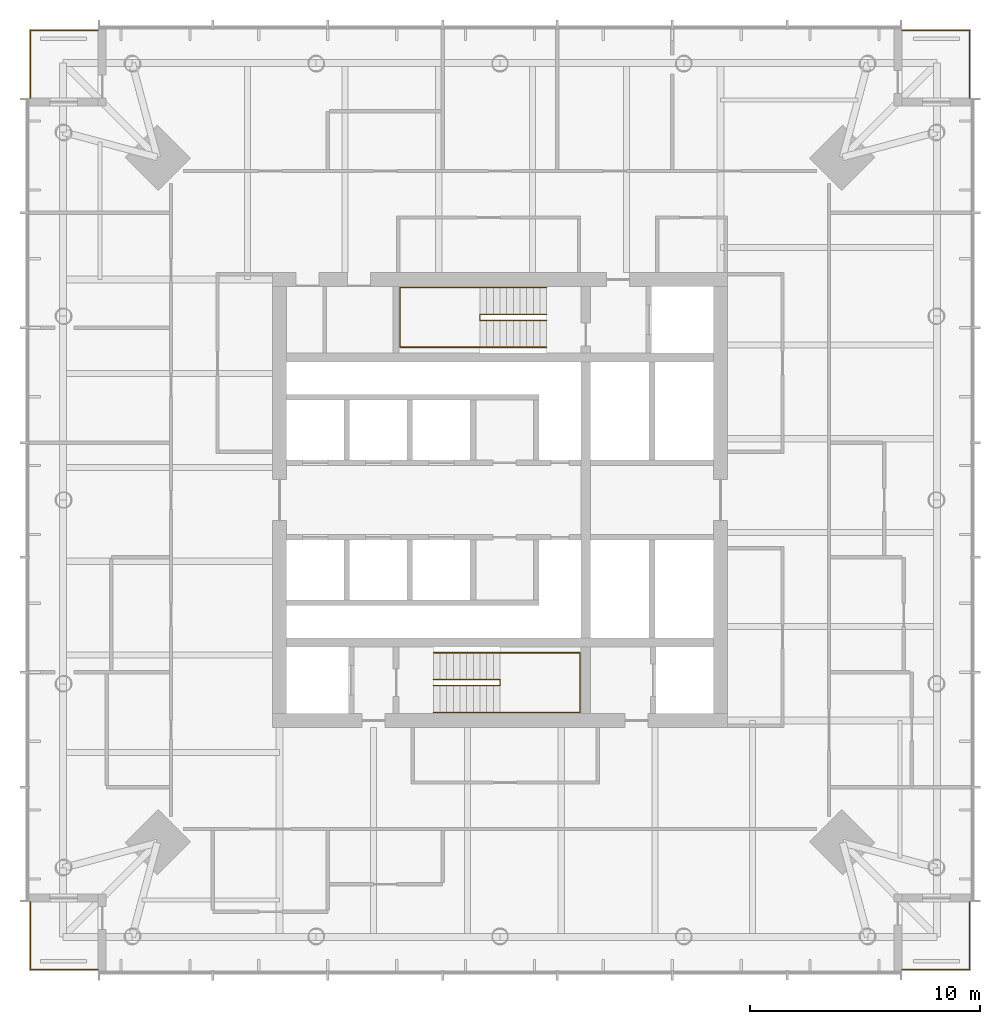
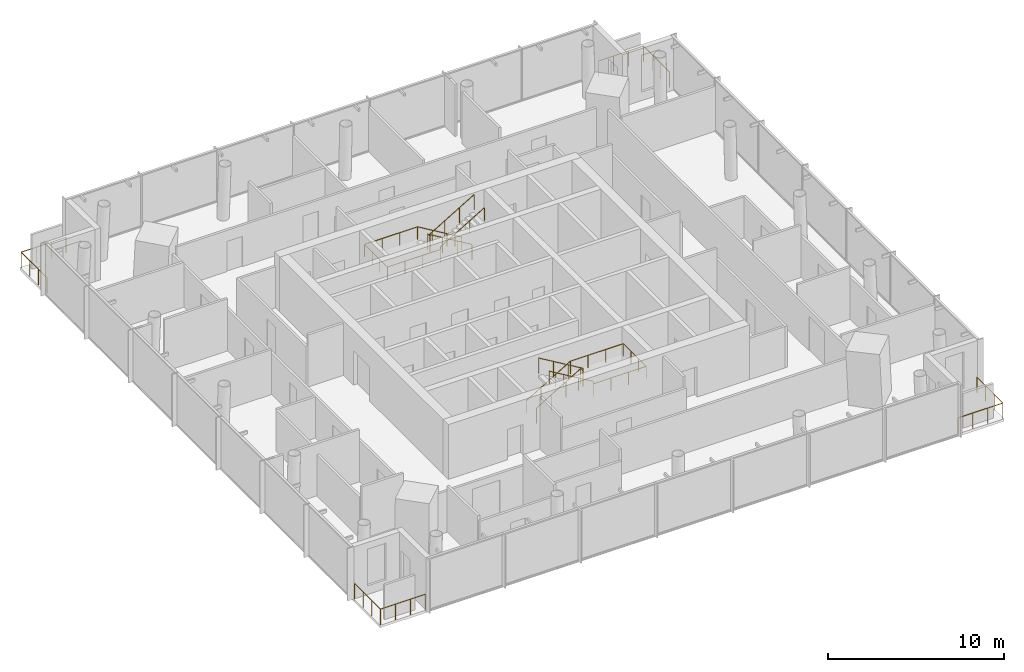
# One storey, part 9 of 9: 8 railings.
"""IFC4 building model written with IfcOpenShell, lengths in metres."""

from ifc_helpers import new_model, si_unit, direction, frame, origin, origin_2d, place, context, subcontext, project, spatial, circle, extrude, material, type_object, element, save


model = new_model("IFC4")

# Units and contexts
model_context = context("Model", 3, precision=1e-05, world=origin(), true_north=direction((0.0, 1.0)))
body_context = subcontext(model_context, "Body", "Model", "MODEL_VIEW")
ifc_project = project(units=[si_unit("LENGTHUNIT", "METRE"), si_unit("AREAUNIT", "SQUARE_METRE"), si_unit("VOLUMEUNIT", "CUBIC_METRE"), si_unit("PLANEANGLEUNIT", "RADIAN"), si_unit("MASSUNIT", "GRAM", prefix="KILO")], contexts=[model_context])

# Site, building, storey
site_placement = place(None, origin())
site = spatial("IfcSite", under=ifc_project, at=site_placement, CompositionType="ELEMENT")
building_placement = place(site_placement, origin())
building = spatial("IfcBuilding", under=site, at=building_placement, Name="Ostroluk Exchange", CompositionType="ELEMENT")
storey_placement = place(building_placement, frame((0.0, 0.0, 176.800048828125)))
storey = spatial("IfcBuildingStorey", under=building, at=storey_placement, Name="L45", CompositionType="ELEMENT", Elevation=176.800048828125)

# Railings
ifc_material_1 = material(Name="Stainless steel", Category="steel")
railing_type_1 = type_object("IfcRailingType", Name="Guard 1100 stainless steel", PredefinedType="GUARDRAIL", material=ifc_material_1)
railing_1_placement = place(storey_placement, frame((62.5, 25.550048828125, 0.0)))
element("IfcRailing", 1, at=railing_1_placement, inside=storey, type_object=railing_type_1, Name="Office tower SE balcony guard L45", PredefinedType="GUARDRAIL", context=body_context, shape_type="SweptSolid", body=[
    extrude(circle(Radius=0.02392578125, at=origin_2d()), frame((0.0, 0.0, 1.076171875), z_axis=(1.0, 0.0, 0.0), x_axis=(0.0, 1.0, 0.0)), (0.0, 0.0, 1.0), 2.949951171875),
    extrude(circle(Radius=0.02392578125, at=origin_2d()), frame((2.949951171875, 0.0, 1.076171875), z_axis=(0.0, 1.0, 0.0), x_axis=(-1.0, 0.0, 0.0)), (0.0, 0.0, 1.0), 2.949951171875),
    extrude(circle(Radius=0.02099609375, at=origin_2d()), origin(), (0.0, 0.0, 1.0), 1.052001953125),
    extrude(circle(Radius=0.02099609375, at=origin_2d()), frame((0.9833984375, 0.0, 0.0)), (0.0, 0.0, 1.0), 1.052001953125),
    extrude(circle(Radius=0.02099609375, at=origin_2d()), frame((1.966552734375, 0.0, 0.0)), (0.0, 0.0, 1.0), 1.052001953125),
    extrude(circle(Radius=0.02099609375, at=origin_2d()), frame((2.949951171875, 0.0, 0.0)), (0.0, 0.0, 1.0), 1.052001953125),
    extrude(circle(Radius=0.02099609375, at=origin_2d()), frame((2.949951171875, 0.9833984375, 0.0)), (0.0, 0.0, 1.0), 1.052001953125),
    extrude(circle(Radius=0.02099609375, at=origin_2d()), frame((2.949951171875, 1.966552734375, 0.0)), (0.0, 0.0, 1.0), 1.052001953125),
    extrude(circle(Radius=0.02099609375, at=origin_2d()), frame((2.949951171875, 2.949951171875, 0.0)), (0.0, 0.0, 1.0), 1.052001953125),
])
railing_2_placement = place(storey_placement, frame((62.5, 66.449951171875, 0.0)))
element("IfcRailing", 2, at=railing_2_placement, inside=storey, type_object=railing_type_1, Name="Office tower NE balcony guard L45", PredefinedType="GUARDRAIL", context=body_context, shape_type="SweptSolid", body=[
    extrude(circle(Radius=0.02392578125, at=origin_2d()), frame((0.0, 0.0, 1.076171875), z_axis=(1.0, 0.0, 0.0), x_axis=(0.0, 1.0, 0.0)), (0.0, 0.0, 1.0), 2.949951171875),
    extrude(circle(Radius=0.02392578125, at=origin_2d()), frame((2.949951171875, 0.0, 1.076171875), z_axis=(0.0, -1.0, 0.0), x_axis=(1.0, 0.0, 0.0)), (0.0, 0.0, 1.0), 2.949951171875),
    extrude(circle(Radius=0.02099609375, at=origin_2d()), origin(), (0.0, 0.0, 1.0), 1.052001953125),
    extrude(circle(Radius=0.02099609375, at=origin_2d()), frame((0.9833984375, 0.0, 0.0)), (0.0, 0.0, 1.0), 1.052001953125),
    extrude(circle(Radius=0.02099609375, at=origin_2d()), frame((1.966552734375, 0.0, 0.0)), (0.0, 0.0, 1.0), 1.052001953125),
    extrude(circle(Radius=0.02099609375, at=origin_2d()), frame((2.949951171875, 0.0, 0.0)), (0.0, 0.0, 1.0), 1.052001953125),
    extrude(circle(Radius=0.02099609375, at=origin_2d()), frame((2.949951171875, -0.9833984375, 0.0)), (0.0, 0.0, 1.0), 1.052001953125),
    extrude(circle(Radius=0.02099609375, at=origin_2d()), frame((2.949951171875, -1.966552734375, 0.0)), (0.0, 0.0, 1.0), 1.052001953125),
    extrude(circle(Radius=0.02099609375, at=origin_2d()), frame((2.949951171875, -2.949951171875, 0.0)), (0.0, 0.0, 1.0), 1.052001953125),
])
railing_3_placement = place(storey_placement, frame((27.5, 66.449951171875, 0.0)))
element("IfcRailing", 3, at=railing_3_placement, inside=storey, type_object=railing_type_1, Name="Office tower NW balcony guard L45", PredefinedType="GUARDRAIL", context=body_context, shape_type="SweptSolid", body=[
    extrude(circle(Radius=0.02392578125, at=origin_2d()), frame((0.0, 0.0, 1.076171875), z_axis=(-1.0, 0.0, 0.0), x_axis=(0.0, -1.0, 0.0)), (0.0, 0.0, 1.0), 2.949951171875),
    extrude(circle(Radius=0.02392578125, at=origin_2d()), frame((-2.949951171875, 0.0, 1.076171875), z_axis=(0.0, -1.0, 0.0), x_axis=(1.0, 0.0, 0.0)), (0.0, 0.0, 1.0), 2.949951171875),
    extrude(circle(Radius=0.02099609375, at=origin_2d()), origin(), (0.0, 0.0, 1.0), 1.052001953125),
    extrude(circle(Radius=0.02099609375, at=origin_2d()), frame((-0.9833984375, 0.0, 0.0)), (0.0, 0.0, 1.0), 1.052001953125),
    extrude(circle(Radius=0.02099609375, at=origin_2d()), frame((-1.966552734375, 0.0, 0.0)), (0.0, 0.0, 1.0), 1.052001953125),
    extrude(circle(Radius=0.02099609375, at=origin_2d()), frame((-2.949951171875, 0.0, 0.0)), (0.0, 0.0, 1.0), 1.052001953125),
    extrude(circle(Radius=0.02099609375, at=origin_2d()), frame((-2.949951171875, -0.9833984375, 0.0)), (0.0, 0.0, 1.0), 1.052001953125),
    extrude(circle(Radius=0.02099609375, at=origin_2d()), frame((-2.949951171875, -1.966552734375, 0.0)), (0.0, 0.0, 1.0), 1.052001953125),
    extrude(circle(Radius=0.02099609375, at=origin_2d()), frame((-2.949951171875, -2.949951171875, 0.0)), (0.0, 0.0, 1.0), 1.052001953125),
])
railing_4_placement = place(storey_placement, frame((27.5, 25.550048828125, 0.0)))
element("IfcRailing", 4, at=railing_4_placement, inside=storey, type_object=railing_type_1, Name="Office tower SW balcony guard L45", PredefinedType="GUARDRAIL", context=body_context, shape_type="SweptSolid", body=[
    extrude(circle(Radius=0.02392578125, at=origin_2d()), frame((0.0, 0.0, 1.076171875), z_axis=(-1.0, 0.0, 0.0), x_axis=(0.0, -1.0, 0.0)), (0.0, 0.0, 1.0), 2.949951171875),
    extrude(circle(Radius=0.02392578125, at=origin_2d()), frame((-2.949951171875, 0.0, 1.076171875), z_axis=(0.0, 1.0, 0.0), x_axis=(-1.0, 0.0, 0.0)), (0.0, 0.0, 1.0), 2.949951171875),
    extrude(circle(Radius=0.02099609375, at=origin_2d()), origin(), (0.0, 0.0, 1.0), 1.052001953125),
    extrude(circle(Radius=0.02099609375, at=origin_2d()), frame((-0.9833984375, 0.0, 0.0)), (0.0, 0.0, 1.0), 1.052001953125),
    extrude(circle(Radius=0.02099609375, at=origin_2d()), frame((-1.966552734375, 0.0, 0.0)), (0.0, 0.0, 1.0), 1.052001953125),
    extrude(circle(Radius=0.02099609375, at=origin_2d()), frame((-2.949951171875, 0.0, 0.0)), (0.0, 0.0, 1.0), 1.052001953125),
    extrude(circle(Radius=0.02099609375, at=origin_2d()), frame((-2.949951171875, 0.9833984375, 0.0)), (0.0, 0.0, 1.0), 1.052001953125),
    extrude(circle(Radius=0.02099609375, at=origin_2d()), frame((-2.949951171875, 1.966552734375, 0.0)), (0.0, 0.0, 1.0), 1.052001953125),
    extrude(circle(Radius=0.02099609375, at=origin_2d()), frame((-2.949951171875, 2.949951171875, 0.0)), (0.0, 0.0, 1.0), 1.052001953125),
])
ifc_material_2 = material(Name="Steel S355", Category="steel")
railing_type_2 = type_object("IfcRailingType", Name="Stair guard 1100", PredefinedType="GUARDRAIL", material=ifc_material_2)
railing_5_placement = place(storey_placement, frame((42.10009765625, 38.179931640625, 0.172607421875)))
element("IfcRailing", 5, at=railing_5_placement, inside=storey, type_object=railing_type_2, Name="Stair T1-S1 guard L45", PredefinedType="GUARDRAIL", context=body_context, shape_type="SweptSolid", body=[
    extrude(circle(Radius=0.02392578125, at=origin_2d()), frame((0.0, 0.0, 1.076171875), z_axis=(0.859141464434, 0.0, 0.511738159696), x_axis=(0.0, 1.0, 0.0)), (0.0, 0.0, 1.0), 3.375244140625),
    extrude(circle(Radius=0.02392578125, at=origin_2d()), frame((2.89990234375, 0.0, 2.80322265625), z_axis=(0.0, -1.0, 0.0), x_axis=(1.0, 0.0, 0.0)), (0.0, 0.0, 1.0), 0.260009765625),
    extrude(circle(Radius=0.02392578125, at=origin_2d()), frame((2.89990234375, -0.260009765625, 2.80322265625), z_axis=(0.0, 0.0, 1.0), x_axis=(1.0, 0.0, 0.0)), (0.0, 0.0, 1.0), 0.1728515625),
    extrude(circle(Radius=0.02392578125, at=origin_2d()), frame((2.89990234375, -0.260009765625, 2.97607421875), z_axis=(-0.859141464434, 0.0, 0.511738159696), x_axis=(0.0, -1.0, 0.0)), (0.0, 0.0, 1.0), 3.375244140625),
    extrude(circle(Radius=0.02099609375, at=origin_2d()), origin(), (0.0, 0.0, 1.0), 1.052001953125),
    extrude(circle(Radius=0.02099609375, at=origin_2d()), frame((0.966552734375, 0.0, 0.57568359375)), (0.0, 0.0, 1.0), 1.052001953125),
    extrude(circle(Radius=0.02099609375, at=origin_2d()), frame((1.933349609375, 0.0, 1.151611328125)), (0.0, 0.0, 1.0), 1.052001953125),
    extrude(circle(Radius=0.02099609375, at=origin_2d()), frame((2.89990234375, 0.0, 1.727294921875)), (0.0, 0.0, 1.0), 1.052001953125),
    extrude(circle(Radius=0.02099609375, at=origin_2d()), frame((2.89990234375, -0.260009765625, 1.727294921875)), (0.0, 0.0, 1.0), 1.052001953125),
    extrude(circle(Radius=0.02099609375, at=origin_2d()), frame((2.89990234375, -0.260009765625, 1.900146484375)), (0.0, 0.0, 1.0), 1.052001953125),
    extrude(circle(Radius=0.02099609375, at=origin_2d()), frame((1.933349609375, -0.260009765625, 2.475830078125)), (0.0, 0.0, 1.0), 1.052001953125),
    extrude(circle(Radius=0.02099609375, at=origin_2d()), frame((0.966552734375, -0.260009765625, 3.0517578125)), (0.0, 0.0, 1.0), 1.052001953125),
    extrude(circle(Radius=0.02099609375, at=origin_2d()), frame((0.0, -0.260009765625, 3.62744140625)), (0.0, 0.0, 1.0), 1.052001953125),
])
railing_6_placement = place(storey_placement, frame((47.030029296875, 54.080078125, 0.172607421875)))
element("IfcRailing", 6, at=railing_6_placement, inside=storey, type_object=railing_type_2, Name="Stair T1-S2 guard L45", PredefinedType="GUARDRAIL", context=body_context, shape_type="SweptSolid", body=[
    extrude(circle(Radius=0.02392578125, at=origin_2d()), frame((0.0, 0.0, 1.076171875), z_axis=(-0.859160404282, 0.0, 0.51170636083), x_axis=(0.0, -1.0, 0.0)), (0.0, 0.0, 1.0), 3.37548828125),
    extrude(circle(Radius=0.02392578125, at=origin_2d()), frame((-2.900146484375, 0.0, 2.80322265625), z_axis=(0.0, -1.0, 0.0), x_axis=(1.0, 0.0, 0.0)), (0.0, 0.0, 1.0), 0.260009765625),
    extrude(circle(Radius=0.02392578125, at=origin_2d()), frame((-2.900146484375, -0.260009765625, 2.80322265625), z_axis=(0.0, 0.0, 1.0), x_axis=(1.0, 0.0, 0.0)), (0.0, 0.0, 1.0), 0.1728515625),
    extrude(circle(Radius=0.02392578125, at=origin_2d()), frame((-2.900146484375, -0.260009765625, 2.97607421875), z_axis=(0.859160404282, 0.0, 0.51170636083), x_axis=(0.0, 1.0, 0.0)), (0.0, 0.0, 1.0), 3.37548828125),
    extrude(circle(Radius=0.02099609375, at=origin_2d()), origin(), (0.0, 0.0, 1.0), 1.052001953125),
    extrude(circle(Radius=0.02099609375, at=origin_2d()), frame((-0.966796875, 0.0, 0.57568359375)), (0.0, 0.0, 1.0), 1.052001953125),
    extrude(circle(Radius=0.02099609375, at=origin_2d()), frame((-1.933349609375, 0.0, 1.151611328125)), (0.0, 0.0, 1.0), 1.052001953125),
    extrude(circle(Radius=0.02099609375, at=origin_2d()), frame((-2.900146484375, 0.0, 1.727294921875)), (0.0, 0.0, 1.0), 1.052001953125),
    extrude(circle(Radius=0.02099609375, at=origin_2d()), frame((-2.900146484375, -0.260009765625, 1.727294921875)), (0.0, 0.0, 1.0), 1.052001953125),
    extrude(circle(Radius=0.02099609375, at=origin_2d()), frame((-2.900146484375, -0.260009765625, 1.900146484375)), (0.0, 0.0, 1.0), 1.052001953125),
    extrude(circle(Radius=0.02099609375, at=origin_2d()), frame((-1.933349609375, -0.260009765625, 2.475830078125)), (0.0, 0.0, 1.0), 1.052001953125),
    extrude(circle(Radius=0.02099609375, at=origin_2d()), frame((-0.966796875, -0.260009765625, 3.0517578125)), (0.0, 0.0, 1.0), 1.052001953125),
    extrude(circle(Radius=0.02099609375, at=origin_2d()), frame((0.0, -0.260009765625, 3.62744140625)), (0.0, 0.0, 1.0), 1.052001953125),
])
ifc_material_3 = material(Name="Stainless steel", Category="steel")
railing_type_3 = type_object("IfcRailingType", Name="Stair handrail 900", PredefinedType="HANDRAIL", material=ifc_material_3)
railing_7_placement = place(storey_placement, frame((42.10009765625, 39.35009765625, 0.172607421875)))
element("IfcRailing", 7, at=railing_7_placement, inside=storey, type_object=railing_type_3, Name="Stair T1-S1 handrail L45", PredefinedType="HANDRAIL", context=body_context, shape_type="SweptSolid", body=[
    extrude(circle(Radius=0.02392578125, at=origin_2d()), frame((0.0, 0.0, 0.8759765625), z_axis=(0.859141464434, 0.0, 0.511738159696), x_axis=(0.0, 1.0, 0.0)), (0.0, 0.0, 1.0), 3.375244140625),
    extrude(circle(Radius=0.02392578125, at=origin_2d()), frame((2.89990234375, 0.0, 2.60302734375), z_axis=(1.0, 0.0, 0.0), x_axis=(0.0, 1.0, 0.0)), (0.0, 0.0, 1.0), 3.47998046875),
    extrude(circle(Radius=0.02392578125, at=origin_2d()), frame((6.3798828125, 0.0, 2.60302734375), z_axis=(0.0, -1.0, 0.0), x_axis=(1.0, 0.0, 0.0)), (0.0, 0.0, 1.0), 2.60009765625),
    extrude(circle(Radius=0.02392578125, at=origin_2d()), frame((6.3798828125, -2.60009765625, 2.60302734375), z_axis=(-1.0, 0.0, 0.0), x_axis=(0.0, -1.0, 0.0)), (0.0, 0.0, 1.0), 3.47998046875),
    extrude(circle(Radius=0.02392578125, at=origin_2d()), frame((2.89990234375, -2.60009765625, 2.60302734375), z_axis=(0.0, 0.0, 1.0), x_axis=(1.0, 0.0, 0.0)), (0.0, 0.0, 1.0), 0.1728515625),
    extrude(circle(Radius=0.02392578125, at=origin_2d()), frame((2.89990234375, -2.60009765625, 2.77587890625), z_axis=(-0.859141464434, 0.0, 0.511738159696), x_axis=(0.0, -1.0, 0.0)), (0.0, 0.0, 1.0), 3.375244140625),
    extrude(circle(Radius=0.02099609375, at=origin_2d()), origin(), (0.0, 0.0, 1.0), 0.851806640625),
    extrude(circle(Radius=0.02099609375, at=origin_2d()), frame((0.966552734375, 0.0, 0.57568359375)), (0.0, 0.0, 1.0), 0.851806640625),
    extrude(circle(Radius=0.02099609375, at=origin_2d()), frame((1.933349609375, 0.0, 1.151611328125)), (0.0, 0.0, 1.0), 0.851806640625),
    extrude(circle(Radius=0.02099609375, at=origin_2d()), frame((2.89990234375, 0.0, 1.727294921875)), (0.0, 0.0, 1.0), 0.851806640625),
    extrude(circle(Radius=0.02099609375, at=origin_2d()), frame((4.059814453125, 0.0, 1.727294921875)), (0.0, 0.0, 1.0), 0.851806640625),
    extrude(circle(Radius=0.02099609375, at=origin_2d()), frame((5.219970703125, 0.0, 1.727294921875)), (0.0, 0.0, 1.0), 0.851806640625),
    extrude(circle(Radius=0.02099609375, at=origin_2d()), frame((6.3798828125, 0.0, 1.727294921875)), (0.0, 0.0, 1.0), 0.851806640625),
    extrude(circle(Radius=0.02099609375, at=origin_2d()), frame((6.3798828125, -0.86669921875, 1.727294921875)), (0.0, 0.0, 1.0), 0.851806640625),
    extrude(circle(Radius=0.02099609375, at=origin_2d()), frame((6.3798828125, -1.7333984375, 1.727294921875)), (0.0, 0.0, 1.0), 0.851806640625),
    extrude(circle(Radius=0.02099609375, at=origin_2d()), frame((6.3798828125, -2.60009765625, 1.727294921875)), (0.0, 0.0, 1.0), 0.851806640625),
    extrude(circle(Radius=0.02099609375, at=origin_2d()), frame((5.219970703125, -2.60009765625, 1.727294921875)), (0.0, 0.0, 1.0), 0.851806640625),
    extrude(circle(Radius=0.02099609375, at=origin_2d()), frame((4.059814453125, -2.60009765625, 1.727294921875)), (0.0, 0.0, 1.0), 0.851806640625),
    extrude(circle(Radius=0.02099609375, at=origin_2d()), frame((2.89990234375, -2.60009765625, 1.727294921875)), (0.0, 0.0, 1.0), 0.851806640625),
    extrude(circle(Radius=0.02099609375, at=origin_2d()), frame((2.89990234375, -2.60009765625, 1.900146484375)), (0.0, 0.0, 1.0), 0.851806640625),
    extrude(circle(Radius=0.02099609375, at=origin_2d()), frame((1.933349609375, -2.60009765625, 2.475830078125)), (0.0, 0.0, 1.0), 0.851806640625),
    extrude(circle(Radius=0.02099609375, at=origin_2d()), frame((0.966552734375, -2.60009765625, 3.0517578125)), (0.0, 0.0, 1.0), 0.851806640625),
    extrude(circle(Radius=0.02099609375, at=origin_2d()), frame((0.0, -2.60009765625, 3.62744140625)), (0.0, 0.0, 1.0), 0.851806640625),
])
railing_8_placement = place(storey_placement, frame((47.030029296875, 55.25, 0.172607421875)))
element("IfcRailing", 8, at=railing_8_placement, inside=storey, type_object=railing_type_3, Name="Stair T1-S2 handrail L45", PredefinedType="HANDRAIL", context=body_context, shape_type="SweptSolid", body=[
    extrude(circle(Radius=0.02392578125, at=origin_2d()), frame((0.0, 0.0, 0.8759765625), z_axis=(-0.859160404282, 0.0, 0.51170636083), x_axis=(0.0, -1.0, 0.0)), (0.0, 0.0, 1.0), 3.37548828125),
    extrude(circle(Radius=0.02392578125, at=origin_2d()), frame((-2.900146484375, 0.0, 2.60302734375), z_axis=(-1.0, 0.0, 0.0), x_axis=(0.0, -1.0, 0.0)), (0.0, 0.0, 1.0), 3.47998046875),
    extrude(circle(Radius=0.02392578125, at=origin_2d()), frame((-6.380126953125, 0.0, 2.60302734375), z_axis=(0.0, -1.0, 0.0), x_axis=(1.0, 0.0, 0.0)), (0.0, 0.0, 1.0), 2.60009765625),
    extrude(circle(Radius=0.02392578125, at=origin_2d()), frame((-6.380126953125, -2.60009765625, 2.60302734375), z_axis=(1.0, 0.0, 0.0), x_axis=(0.0, 1.0, 0.0)), (0.0, 0.0, 1.0), 3.47998046875),
    extrude(circle(Radius=0.02392578125, at=origin_2d()), frame((-2.900146484375, -2.60009765625, 2.60302734375), z_axis=(0.0, 0.0, 1.0), x_axis=(1.0, 0.0, 0.0)), (0.0, 0.0, 1.0), 0.1728515625),
    extrude(circle(Radius=0.02392578125, at=origin_2d()), frame((-2.900146484375, -2.60009765625, 2.77587890625), z_axis=(0.859160404282, 0.0, 0.51170636083), x_axis=(0.0, 1.0, 0.0)), (0.0, 0.0, 1.0), 3.37548828125),
    extrude(circle(Radius=0.02099609375, at=origin_2d()), origin(), (0.0, 0.0, 1.0), 0.851806640625),
    extrude(circle(Radius=0.02099609375, at=origin_2d()), frame((-0.966796875, 0.0, 0.57568359375)), (0.0, 0.0, 1.0), 0.851806640625),
    extrude(circle(Radius=0.02099609375, at=origin_2d()), frame((-1.933349609375, 0.0, 1.151611328125)), (0.0, 0.0, 1.0), 0.851806640625),
    extrude(circle(Radius=0.02099609375, at=origin_2d()), frame((-2.900146484375, 0.0, 1.727294921875)), (0.0, 0.0, 1.0), 0.851806640625),
    extrude(circle(Radius=0.02099609375, at=origin_2d()), frame((-4.06005859375, 0.0, 1.727294921875)), (0.0, 0.0, 1.0), 0.851806640625),
    extrude(circle(Radius=0.02099609375, at=origin_2d()), frame((-5.22021484375, 0.0, 1.727294921875)), (0.0, 0.0, 1.0), 0.851806640625),
    extrude(circle(Radius=0.02099609375, at=origin_2d()), frame((-6.380126953125, 0.0, 1.727294921875)), (0.0, 0.0, 1.0), 0.851806640625),
    extrude(circle(Radius=0.02099609375, at=origin_2d()), frame((-6.380126953125, -0.86669921875, 1.727294921875)), (0.0, 0.0, 1.0), 0.851806640625),
    extrude(circle(Radius=0.02099609375, at=origin_2d()), frame((-6.380126953125, -1.7333984375, 1.727294921875)), (0.0, 0.0, 1.0), 0.851806640625),
    extrude(circle(Radius=0.02099609375, at=origin_2d()), frame((-6.380126953125, -2.60009765625, 1.727294921875)), (0.0, 0.0, 1.0), 0.851806640625),
    extrude(circle(Radius=0.02099609375, at=origin_2d()), frame((-5.22021484375, -2.60009765625, 1.727294921875)), (0.0, 0.0, 1.0), 0.851806640625),
    extrude(circle(Radius=0.02099609375, at=origin_2d()), frame((-4.06005859375, -2.60009765625, 1.727294921875)), (0.0, 0.0, 1.0), 0.851806640625),
    extrude(circle(Radius=0.02099609375, at=origin_2d()), frame((-2.900146484375, -2.60009765625, 1.727294921875)), (0.0, 0.0, 1.0), 0.851806640625),
    extrude(circle(Radius=0.02099609375, at=origin_2d()), frame((-2.900146484375, -2.60009765625, 1.900146484375)), (0.0, 0.0, 1.0), 0.851806640625),
    extrude(circle(Radius=0.02099609375, at=origin_2d()), frame((-1.933349609375, -2.60009765625, 2.475830078125)), (0.0, 0.0, 1.0), 0.851806640625),
    extrude(circle(Radius=0.02099609375, at=origin_2d()), frame((-0.966796875, -2.60009765625, 3.0517578125)), (0.0, 0.0, 1.0), 0.851806640625),
    extrude(circle(Radius=0.02099609375, at=origin_2d()), frame((0.0, -2.60009765625, 3.62744140625)), (0.0, 0.0, 1.0), 0.851806640625),
])

save(model, "model.ifc")
